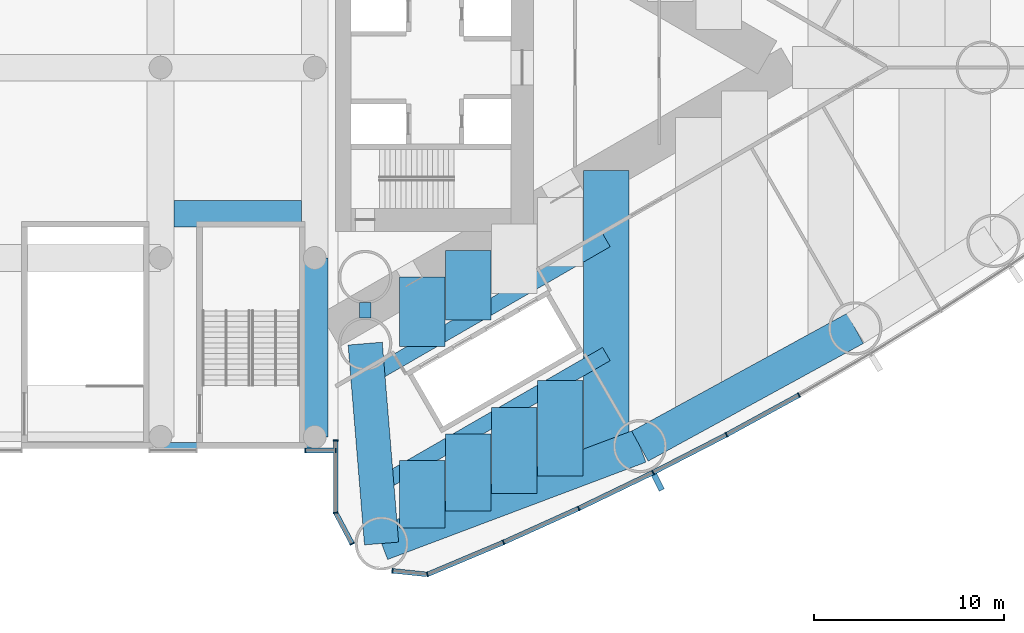
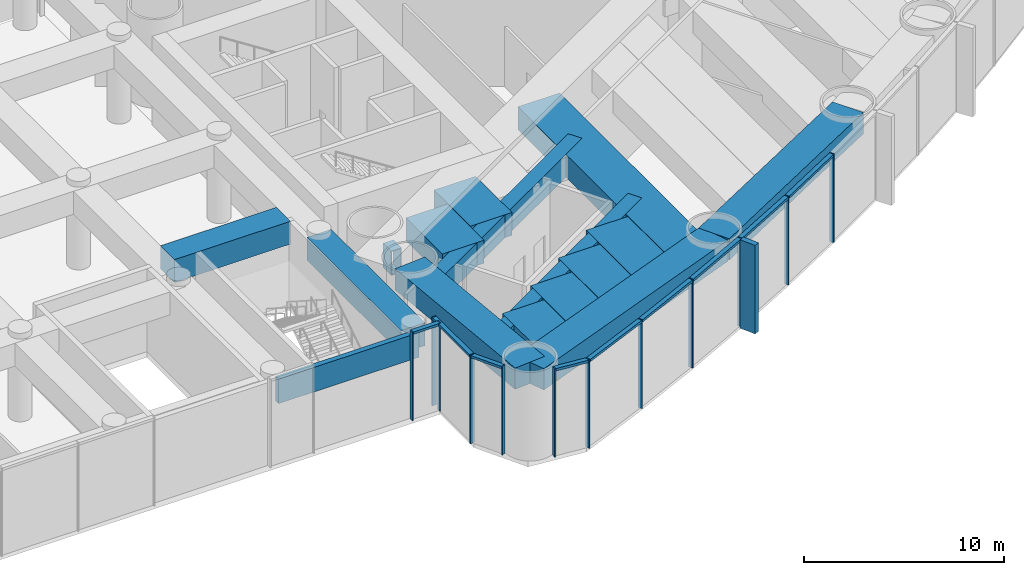
# One storey, part 7 of 20: 22 members, 16 beams, 3 elements without a shape of their own.
"""IFC4 building model written with IfcOpenShell, lengths in metres."""

from ifc_helpers import new_model, si_unit, direction, frame, origin, origin_2d, place, context, subcontext, project, spatial, rectangle, hollow_rectangle, extrude, material, material_profile, profile_set, type_object, element, aggregate, save


model = new_model("IFC4")

# Units and contexts
model_context = context("Model", 3, precision=1e-05, world=origin(), true_north=direction((0.0, 1.0)))
body_context = subcontext(model_context, "Body", "Model", "MODEL_VIEW")
ifc_project = project(units=[si_unit("LENGTHUNIT", "METRE"), si_unit("AREAUNIT", "SQUARE_METRE"), si_unit("VOLUMEUNIT", "CUBIC_METRE"), si_unit("PLANEANGLEUNIT", "RADIAN"), si_unit("MASSUNIT", "GRAM", prefix="KILO")], contexts=[model_context])

# Site, building, storey
site_placement = place(None, origin())
site = spatial("IfcSite", under=ifc_project, at=site_placement, CompositionType="ELEMENT")
building_placement = place(site_placement, origin())
building = spatial("IfcBuilding", under=site, at=building_placement, Name="Lancet Gate Hotel", CompositionType="ELEMENT")
storey_placement = place(building_placement, frame((0.0, 0.0, 7.199951171875)))
storey = spatial("IfcBuildingStorey", under=building, at=storey_placement, Name="L01", CompositionType="ELEMENT", Elevation=7.199951171875)

# Curtain wall, members
ifc_material_1 = material(Name="Aluminium curtain wall", Category="aluminium")
curtain_wall_type = type_object("IfcCurtainWallType", Name="Podium curtain wall", PredefinedType="USERDEFINED", material=ifc_material_1)
curtain_wall_1_placement = place(storey_placement, origin())
curtain_wall_1 = element("IfcCurtainWall", 1, at=curtain_wall_1_placement, inside=storey, type_object=curtain_wall_type, Name="T2 L01 curtain wall 1", ObjectType="UNITISED CURTAIN WALL", PredefinedType="USERDEFINED")
ifc_material_2 = material(Name="Aluminium mullion", Category="aluminium")
ifc_material_profile_1 = material_profile(ifc_material_2, rectangle(XDim=0.06494140625, YDim=0.25, at=origin_2d()), Name="MULLION 65x250")
ifc_profile_set_1 = profile_set([ifc_material_profile_1], Name="Aluminium mullion")
member_type_1 = type_object("IfcMemberType", Name="Aluminium mullion 65x250", PredefinedType="MULLION", material=ifc_profile_set_1)
member_1_placement = place(storey_placement, frame((27.5, -19.588623046875, 0.0), z_axis=(0.0, 0.0, 1.0), x_axis=(0.0, -1.0, 0.0)))
member_1 = element("IfcMember", 2, at=member_1_placement, type_object=member_type_1, Name="T2 L01 curtain wall 1 mullion 1", PredefinedType="MULLION", context=body_context, shape_type="SweptSolid", body=[
    extrude(rectangle(XDim=0.06494140625, YDim=0.25, at=origin_2d()), origin(), (0.0, 0.0, 1.0), 5.400146484375),
])
member_2_placement = place(storey_placement, frame((27.5, -23.384765625, 0.0), z_axis=(0.0, 0.0, 1.0), x_axis=(0.157751691459, -0.987478811844, 0.0)))
member_2 = element("IfcMember", 3, at=member_2_placement, type_object=member_type_1, Name="T2 L01 curtain wall 1 mullion 2", PredefinedType="MULLION", context=body_context, shape_type="SweptSolid", body=[
    extrude(rectangle(XDim=0.06494140625, YDim=0.25, at=origin_2d()), origin(), (0.0, 0.0, 1.0), 5.400146484375),
])
member_3_placement = place(storey_placement, frame((28.366455078125, -25.012451171875, 0.0), z_axis=(0.0, 0.0, 1.0), x_axis=(0.469897827284, -0.882720811987, 0.0)))
member_3 = element("IfcMember", 4, at=member_3_placement, type_object=member_type_1, Name="T2 L01 curtain wall 1 mullion 3", PredefinedType="MULLION", context=body_context, shape_type="SweptSolid", body=[
    extrude(rectangle(XDim=0.06494140625, YDim=0.25, at=origin_2d()), origin(), (0.0, 0.0, 1.0), 5.400146484375),
])

curtain_wall_2_placement = place(storey_placement, origin())
curtain_wall_2 = element("IfcCurtainWall", 5, at=curtain_wall_2_placement, inside=storey, type_object=curtain_wall_type, Name="T2 L01 curtain wall 2", ObjectType="UNITISED CURTAIN WALL", PredefinedType="USERDEFINED")
member_4_placement = place(storey_placement, frame((30.48388671875, -26.4375, 0.0), z_axis=(0.0, 0.0, 1.0), x_axis=(0.994672262412, -0.10308778001, 0.0)))
member_4 = element("IfcMember", 6, at=member_4_placement, type_object=member_type_1, Name="T2 L01 curtain wall 2 mullion 1", PredefinedType="MULLION", context=body_context, shape_type="SweptSolid", body=[
    extrude(rectangle(XDim=0.06494140625, YDim=0.25, at=origin_2d()), origin(), (0.0, 0.0, 1.0), 5.400146484375),
])
member_5_placement = place(storey_placement, frame((32.3173828125, -26.62744140625, 0.0), z_axis=(0.0, 0.0, 1.0), x_axis=(0.968721492963, 0.248150496819, 0.0)))
member_5 = element("IfcMember", 7, at=member_5_placement, type_object=member_type_1, Name="T2 L01 curtain wall 2 mullion 2", PredefinedType="MULLION", context=body_context, shape_type="SweptSolid", body=[
    extrude(rectangle(XDim=0.06494140625, YDim=0.25, at=origin_2d()), origin(), (0.0, 0.0, 1.0), 5.400146484375),
])
member_6_placement = place(storey_placement, frame((36.31494140625, -24.943603515625, 0.0), z_axis=(0.0, 0.0, 1.0), x_axis=(0.916578705089, 0.399854320193, 0.0)))
member_6 = element("IfcMember", 8, at=member_6_placement, type_object=member_type_1, Name="T2 L01 curtain wall 2 mullion 3", PredefinedType="MULLION", context=body_context, shape_type="SweptSolid", body=[
    extrude(rectangle(XDim=0.06494140625, YDim=0.25, at=origin_2d()), origin(), (0.0, 0.0, 1.0), 5.400146484375),
])
member_7_placement = place(storey_placement, frame((40.2685546875, -23.15869140625, 0.0), z_axis=(0.0, 0.0, 1.0), x_axis=(0.906104948671, 0.423052977762, 0.0)))
member_7 = element("IfcMember", 9, at=member_7_placement, type_object=member_type_1, Name="T2 L01 curtain wall 2 mullion 4", PredefinedType="MULLION", context=body_context, shape_type="SweptSolid", body=[
    extrude(rectangle(XDim=0.06494140625, YDim=0.25, at=origin_2d()), origin(), (0.0, 0.0, 1.0), 5.400146484375),
])
member_8_placement = place(storey_placement, frame((44.17529296875, -21.273681640625, 0.0), z_axis=(0.0, 0.0, 1.0), x_axis=(0.895044147438, 0.445977548917, 0.0)))
member_8 = element("IfcMember", 10, at=member_8_placement, type_object=member_type_1, Name="T2 L01 curtain wall 2 mullion 5", PredefinedType="MULLION", context=body_context, shape_type="SweptSolid", body=[
    extrude(rectangle(XDim=0.06494140625, YDim=0.25, at=origin_2d()), origin(), (0.0, 0.0, 1.0), 5.400146484375),
])
member_9_placement = place(storey_placement, frame((48.03271484375, -19.2900390625, 0.0), z_axis=(0.0, 0.0, 1.0), x_axis=(0.88340346743, 0.468613181347, 0.0)))
member_9 = element("IfcMember", 11, at=member_9_placement, type_object=member_type_1, Name="T2 L01 curtain wall 2 mullion 6", PredefinedType="MULLION", context=body_context, shape_type="SweptSolid", body=[
    extrude(rectangle(XDim=0.06494140625, YDim=0.25, at=origin_2d()), origin(), (0.0, 0.0, 1.0), 5.400146484375),
])
member_10_placement = place(storey_placement, frame((51.838623046875, -17.208740234375, 0.0), z_axis=(0.0, 0.0, 1.0), x_axis=(0.871190450382, 0.490945209941, 0.0)))
member_10 = element("IfcMember", 12, at=member_10_placement, type_object=member_type_1, Name="T2 L01 curtain wall 2 mullion 7", PredefinedType="MULLION", context=body_context, shape_type="SweptSolid", body=[
    extrude(rectangle(XDim=0.06494140625, YDim=0.25, at=origin_2d()), origin(), (0.0, 0.0, 1.0), 5.400146484375),
])

curtain_wall_3_placement = place(storey_placement, origin())
curtain_wall_3 = element("IfcCurtainWall", 13, at=curtain_wall_3_placement, inside=storey, type_object=curtain_wall_type, Name="Podium L01 curtain wall S5", ObjectType="UNITISED CURTAIN WALL", PredefinedType="USERDEFINED")
member_11_placement = place(storey_placement, frame((25.89990234375, -20.1201171875, 0.0), z_axis=(0.0, 0.0, 1.0), x_axis=(1.0, 0.0, 0.0)))
member_11 = element("IfcMember", 14, at=member_11_placement, type_object=member_type_1, Name="Podium L01 curtain wall S5 mullion 1", PredefinedType="MULLION", context=body_context, shape_type="SweptSolid", body=[
    extrude(rectangle(XDim=0.06494140625, YDim=0.25, at=origin_2d()), origin(), (0.0, 0.0, 1.0), 5.400146484375),
])
member_12_placement = place(storey_placement, frame((27.5, -20.1201171875, 0.0), z_axis=(0.0, 0.0, 1.0), x_axis=(1.0, 0.0, 0.0)))
member_12 = element("IfcMember", 15, at=member_12_placement, type_object=member_type_1, Name="Podium L01 curtain wall S5 mullion 2", PredefinedType="MULLION", context=body_context, shape_type="SweptSolid", body=[
    extrude(rectangle(XDim=0.06494140625, YDim=0.25, at=origin_2d()), origin(), (0.0, 0.0, 1.0), 5.400146484375),
])

# Member
ifc_material_3 = material(Name="Aluminium transom", Category="aluminium")
ifc_material_profile_2 = material_profile(ifc_material_3, rectangle(XDim=0.25, YDim=0.14990234375, at=origin_2d()), Name="TRANSOM 250x150")
ifc_profile_set_2 = profile_set([ifc_material_profile_2], Name="Aluminium transom")
member_type_2 = type_object("IfcMemberType", Name="Aluminium transom 250x150", PredefinedType="USERDEFINED", material=ifc_profile_set_2)
member_13_placement = place(storey_placement, frame((27.5, -19.62109375, 5.324951171875), z_axis=(0.0, -1.0, 0.0), x_axis=(1.0, 0.0, 0.0)))
member_13 = element("IfcMember", 16, at=member_13_placement, type_object=member_type_2, Name="T2 L01 curtain wall 1 transom 1", ObjectType="TRANSOM", PredefinedType="USERDEFINED", context=body_context, shape_type="SweptSolid", body=[
    extrude(rectangle(XDim=0.25, YDim=0.14990234375, at=origin_2d()), origin(), (0.0, 0.0, 1.0), 3.731201171875),
])

member_14_placement = place(storey_placement, frame((27.515380859375, -23.41357421875, 5.324951171875), z_axis=(0.469904276347, -0.882717378933, 0.0), x_axis=(0.882717378933, 0.469904276347, 0.0)))
member_14 = element("IfcMember", 17, at=member_14_placement, type_object=member_type_2, Name="T2 L01 curtain wall 1 transom 2", ObjectType="TRANSOM", PredefinedType="USERDEFINED", context=body_context, shape_type="SweptSolid", body=[
    extrude(rectangle(XDim=0.25, YDim=0.14990234375, at=origin_2d()), origin(), (0.0, 0.0, 1.0), 1.779052734375),
])

aggregate(curtain_wall_1, [member_1, member_2, member_3, member_13, member_14])

member_15_placement = place(storey_placement, frame((30.516357421875, -26.440673828125, 5.324951171875), z_axis=(0.994670452051, -0.103105246306, 0.0), x_axis=(0.103105246306, 0.994670452051, 0.0)))
member_15 = element("IfcMember", 18, at=member_15_placement, type_object=member_type_2, Name="T2 L01 curtain wall 2 transom 1", ObjectType="TRANSOM", PredefinedType="USERDEFINED", context=body_context, shape_type="SweptSolid", body=[
    extrude(rectangle(XDim=0.25, YDim=0.14990234375, at=origin_2d()), origin(), (0.0, 0.0, 1.0), 1.7783203125),
])

member_16_placement = place(storey_placement, frame((32.347412109375, -26.61474609375, 5.324951171875), z_axis=(0.92159772617, 0.388146404233, 0.0), x_axis=(-0.388146404233, 0.92159772617, 0.0)))
member_16 = element("IfcMember", 19, at=member_16_placement, type_object=member_type_2, Name="T2 L01 curtain wall 2 transom 2", ObjectType="TRANSOM", PredefinedType="USERDEFINED", context=body_context, shape_type="SweptSolid", body=[
    extrude(rectangle(XDim=0.25, YDim=0.14990234375, at=origin_2d()), origin(), (0.0, 0.0, 1.0), 4.272705078125),
])

member_17_placement = place(storey_placement, frame((36.3447265625, -24.930419921875, 5.324951171875), z_axis=(0.911396871737, 0.411528543589, 0.0), x_axis=(-0.411528543589, 0.911396871737, 0.0)))
member_17 = element("IfcMember", 20, at=member_17_placement, type_object=member_type_2, Name="T2 L01 curtain wall 2 transom 3", ObjectType="TRANSOM", PredefinedType="USERDEFINED", context=body_context, shape_type="SweptSolid", body=[
    extrude(rectangle(XDim=0.25, YDim=0.14990234375, at=origin_2d()), origin(), (0.0, 0.0, 1.0), 4.272705078125),
])

member_18_placement = place(storey_placement, frame((40.2978515625, -23.14453125, 5.324951171875), z_axis=(0.900646499888, 0.434552508035, 0.0), x_axis=(-0.434552508035, 0.900646499888, 0.0)))
member_18 = element("IfcMember", 21, at=member_18_placement, type_object=member_type_2, Name="T2 L01 curtain wall 2 transom 4", ObjectType="TRANSOM", PredefinedType="USERDEFINED", context=body_context, shape_type="SweptSolid", body=[
    extrude(rectangle(XDim=0.25, YDim=0.14990234375, at=origin_2d()), origin(), (0.0, 0.0, 1.0), 4.272705078125),
])

member_19_placement = place(storey_placement, frame((44.2041015625, -21.259033203125, 5.324951171875), z_axis=(0.88929576978, 0.457332520002, 0.0), x_axis=(-0.457332520002, 0.88929576978, 0.0)))
member_19 = element("IfcMember", 22, at=member_19_placement, type_object=member_type_2, Name="T2 L01 curtain wall 2 transom 5", ObjectType="TRANSOM", PredefinedType="USERDEFINED", context=body_context, shape_type="SweptSolid", body=[
    extrude(rectangle(XDim=0.25, YDim=0.14990234375, at=origin_2d()), origin(), (0.0, 0.0, 1.0), 4.272705078125),
])

member_20_placement = place(storey_placement, frame((48.061279296875, -19.2744140625, 5.324951171875), z_axis=(0.877377528879, 0.479800658417, 0.0), x_axis=(-0.479800658417, 0.877377528879, 0.0)))
member_20 = element("IfcMember", 23, at=member_20_placement, type_object=member_type_2, Name="T2 L01 curtain wall 2 transom 6", ObjectType="TRANSOM", PredefinedType="USERDEFINED", context=body_context, shape_type="SweptSolid", body=[
    extrude(rectangle(XDim=0.25, YDim=0.14990234375, at=origin_2d()), origin(), (0.0, 0.0, 1.0), 4.272705078125),
])

member_21_placement = place(storey_placement, frame((25.9326171875, -20.1201171875, 5.324951171875), z_axis=(1.0, 0.0, 0.0), x_axis=(0.0, 1.0, 0.0)))
member_21 = element("IfcMember", 24, at=member_21_placement, type_object=member_type_2, Name="Podium L01 curtain wall S5 transom 1", ObjectType="TRANSOM", PredefinedType="USERDEFINED", context=body_context, shape_type="SweptSolid", body=[
    extrude(rectangle(XDim=0.25, YDim=0.14990234375, at=origin_2d()), origin(), (0.0, 0.0, 1.0), 1.534912109375),
])

aggregate(curtain_wall_3, [member_11, member_12, member_21])

# Beams
ifc_material_4 = material(Name="Concrete C50/60", Category="concrete")
ifc_material_profile_3 = material_profile(ifc_material_4, rectangle(XDim=1.800048828125, YDim=1.300048828125, at=origin_2d()), Name="RC 1800x1300")
ifc_profile_set_3 = profile_set([ifc_material_profile_3], Name="Concrete C50/60")
beam_type_1 = type_object("IfcBeamType", Name="Edge beam RC 1800x1300", PredefinedType="SPANDREL", material=ifc_profile_set_3)
beam_1_placement = place(storey_placement, frame((29.9111328125, -25.00244140625, 4.400146484375), z_axis=(0.935736448066, 0.352700013836, 0.0), x_axis=(-0.352700013836, 0.935736448066, 0.0)))
element("IfcBeam", 25, at=beam_1_placement, inside=storey, type_object=beam_type_1, Name="T2 edge beam EB1 L01", PredefinedType="SPANDREL", context=body_context, shape_type="SweptSolid", body=[
    extrude(rectangle(XDim=1.800048828125, YDim=1.300048828125, at=origin_2d()), origin(), (0.0, 0.0, 1.0), 14.505126953125),
])
beam_2_placement = place(storey_placement, frame((43.484130859375, -19.886474609375, 4.400146484375), z_axis=(0.87736889738, 0.479816441893, 0.0), x_axis=(-0.479816441893, 0.87736889738, 0.0)))
element("IfcBeam", 26, at=beam_2_placement, inside=storey, type_object=beam_type_1, Name="T2 edge beam EB1 L01", PredefinedType="SPANDREL", context=body_context, shape_type="SweptSolid", body=[
    extrude(rectangle(XDim=1.800048828125, YDim=1.300048828125, at=origin_2d()), origin(), (0.0, 0.0, 1.0), 12.89208984375),
])
beam_3_placement = place(storey_placement, frame((29.9111328125, -25.00244140625, 4.400146484375), z_axis=(-0.081714744052, 0.996655758326, 0.0), x_axis=(-0.996655758326, -0.081714744052, 0.0)))
element("IfcBeam", 27, at=beam_3_placement, inside=storey, type_object=beam_type_1, Name="T2 edge beam EB1 L01", PredefinedType="SPANDREL", context=body_context, shape_type="SweptSolid", body=[
    extrude(rectangle(XDim=1.800048828125, YDim=1.300048828125, at=origin_2d()), origin(), (0.0, 0.0, 1.0), 10.53759765625),
])

# Member
ifc_material_5 = material(Name="Precast concrete C50/60", Category="concrete")
ifc_material_profile_4 = material_profile(ifc_material_5, rectangle(XDim=0.300048828125, YDim=0.89990234375, at=origin_2d()), Name="FIN 300x900")
ifc_profile_set_4 = profile_set([ifc_material_profile_4], Name="Precast concrete C50/60")
member_type_3 = type_object("IfcMemberType", Name="Exposed concrete fin 300x900", PredefinedType="USERDEFINED", material=ifc_profile_set_4)
member_22_placement = place(storey_placement, frame((44.431640625, -21.788330078125, 0.0), z_axis=(0.0, 0.0, 1.0), x_axis=(0.895044147438, 0.445977548917, 0.0)))
member_22 = element("IfcMember", 28, at=member_22_placement, type_object=member_type_3, Name="T2 L01 curtain wall 2 fin 5", ObjectType="FIN", PredefinedType="USERDEFINED", context=body_context, shape_type="SweptSolid", body=[
    extrude(rectangle(XDim=0.300048828125, YDim=0.89990234375, at=origin_2d()), origin(), (0.0, 0.0, 1.0), 5.400146484375),
])

aggregate(curtain_wall_2, [member_4, member_5, member_6, member_7, member_8, member_22, member_9, member_10, member_15, member_16, member_17, member_18, member_19, member_20])

# Beams
ifc_material_6 = material(Name="Concrete C50/60", Category="concrete")
ifc_material_profile_5 = material_profile(ifc_material_6, rectangle(XDim=2.39990234375, YDim=1.39990234375, at=origin_2d()), Name="RC 2400x1400")
ifc_profile_set_5 = profile_set([ifc_material_profile_5], Name="Concrete C50/60")
beam_type_2 = type_object("IfcBeamType", Name="Floor beam RC 2400x1400", PredefinedType="BEAM", material=ifc_profile_set_5)
beam_4_placement = place(storey_placement, frame((41.721435546875, -20.55078125, 4.35009765625), z_axis=(0.0, 1.0, 0.0), x_axis=(-1.0, 0.0, 0.0)))
element("IfcBeam", 29, at=beam_4_placement, inside=storey, type_object=beam_type_2, Name="T2 floor beam F11S L01", PredefinedType="BEAM", context=body_context, shape_type="SweptSolid", body=[
    extrude(rectangle(XDim=2.39990234375, YDim=1.39990234375, at=origin_2d()), origin(), (0.0, 0.0, 1.0), 15.134765625),
])
beam_5_placement = place(storey_placement, frame((32.04052734375, -24.199951171875, 4.35009765625), z_axis=(0.0, 1.0, 0.0), x_axis=(-1.0, 0.0, 0.0)))
element("IfcBeam", 30, at=beam_5_placement, inside=storey, type_object=beam_type_2, Name="T2 floor beam F03SA L01", PredefinedType="BEAM", context=body_context, shape_type="SweptSolid", body=[
    extrude(rectangle(XDim=2.39990234375, YDim=1.39990234375, at=origin_2d()), origin(), (0.0, 0.0, 1.0), 3.5615234375),
])
beam_6_placement = place(storey_placement, frame((32.04052734375, -14.65087890625, 4.35009765625), z_axis=(0.0, 1.0, 0.0), x_axis=(-1.0, 0.0, 0.0)))
element("IfcBeam", 31, at=beam_6_placement, inside=storey, type_object=beam_type_2, Name="T2 floor beam F03SB L01", PredefinedType="BEAM", context=body_context, shape_type="SweptSolid", body=[
    extrude(rectangle(XDim=2.39990234375, YDim=1.39990234375, at=origin_2d()), origin(), (0.0, 0.0, 1.0), 3.6455078125),
])
beam_7_placement = place(storey_placement, frame((34.460693359375, -23.28759765625, 4.35009765625), z_axis=(0.0, 1.0, 0.0), x_axis=(-1.0, 0.0, 0.0)))
element("IfcBeam", 32, at=beam_7_placement, inside=storey, type_object=beam_type_2, Name="T2 floor beam F05SA L01", PredefinedType="BEAM", context=body_context, shape_type="SweptSolid", body=[
    extrude(rectangle(XDim=2.39990234375, YDim=1.39990234375, at=origin_2d()), origin(), (0.0, 0.0, 1.0), 4.04638671875),
])
beam_8_placement = place(storey_placement, frame((34.460693359375, -13.253662109375, 4.35009765625), z_axis=(0.0, 1.0, 0.0), x_axis=(-1.0, 0.0, 0.0)))
element("IfcBeam", 33, at=beam_8_placement, inside=storey, type_object=beam_type_2, Name="T2 floor beam F05SB L01", PredefinedType="BEAM", context=body_context, shape_type="SweptSolid", body=[
    extrude(rectangle(XDim=2.39990234375, YDim=1.39990234375, at=origin_2d()), origin(), (0.0, 0.0, 1.0), 3.645751953125),
])
beam_9_placement = place(storey_placement, frame((36.880859375, -22.37548828125, 4.35009765625), z_axis=(0.0, 1.0, 0.0), x_axis=(-1.0, 0.0, 0.0)))
element("IfcBeam", 34, at=beam_9_placement, inside=storey, type_object=beam_type_2, Name="T2 floor beam F07SA L01", PredefinedType="BEAM", context=body_context, shape_type="SweptSolid", body=[
    extrude(rectangle(XDim=2.39990234375, YDim=1.39990234375, at=origin_2d()), origin(), (0.0, 0.0, 1.0), 4.53173828125),
])
beam_10_placement = place(storey_placement, frame((39.301025390625, -21.463134765625, 4.35009765625), z_axis=(0.0, 1.0, 0.0), x_axis=(-1.0, 0.0, 0.0)))
element("IfcBeam", 35, at=beam_10_placement, inside=storey, type_object=beam_type_2, Name="T2 floor beam F09SA L01", PredefinedType="BEAM", context=body_context, shape_type="SweptSolid", body=[
    extrude(rectangle(XDim=2.39990234375, YDim=1.39990234375, at=origin_2d()), origin(), (0.0, 0.0, 1.0), 5.0166015625),
])
ifc_material_7 = material(Name="Steel S460QL", Category="steel")
ifc_material_profile_6 = material_profile(ifc_material_7, hollow_rectangle(XDim=0.60009765625, YDim=1.5, WallThickness=0.050048828125, at=origin_2d()), Name="BOX 1500x600x50")
ifc_profile_set_6 = profile_set([ifc_material_profile_6], Name="Steel S460QL")
beam_type_3 = type_object("IfcBeamType", Name="Inner-face link beam BOX 1500x600x50", PredefinedType="BEAM", material=ifc_profile_set_6)
beam_11_placement = place(storey_placement, frame((29.050048828125, -13.14990234375, 4.300048828125), z_axis=(0.0, 1.0, 0.0), x_axis=(-1.0, 0.0, 0.0)))
element("IfcBeam", 36, at=beam_11_placement, inside=storey, type_object=beam_type_3, Name="T2 inner-face link beam LK1 L01", PredefinedType="BEAM", context=body_context, shape_type="SweptSolid", body=[
    extrude(hollow_rectangle(XDim=0.60009765625, YDim=1.5, WallThickness=0.050048828125, at=origin_2d()), origin(), (0.0, 0.0, 1.0), 0.7998046875),
])
ifc_material_8 = material(Name="Concrete C50/60", Category="concrete")
ifc_material_profile_7 = material_profile(ifc_material_8, rectangle(XDim=1.39990234375, YDim=1.39990234375, at=origin_2d()), Name="RC 1400x1400")
ifc_profile_set_7 = profile_set([ifc_material_profile_7], Name="Concrete C50/60")
beam_type_4 = type_object("IfcBeamType", Name="Podium beam RC 1400x1400", PredefinedType="BEAM", material=ifc_profile_set_7)
beam_12_placement = place(storey_placement, frame((19.0, -7.679931640625, 4.35009765625), z_axis=(1.0, 0.0, 0.0), x_axis=(0.0, 1.0, 0.0)))
element("IfcBeam", 37, at=beam_12_placement, inside=storey, type_object=beam_type_4, Name="Podium trimmer beam PS5 L01", PredefinedType="BEAM", context=body_context, shape_type="SweptSolid", body=[
    extrude(rectangle(XDim=1.39990234375, YDim=1.39990234375, at=origin_2d()), origin(), (0.0, 0.0, 1.0), 6.699951171875),
])
beam_13_placement = place(storey_placement, frame((26.39990234375, -19.39990234375, 4.35009765625), z_axis=(0.0, 1.0, 0.0), x_axis=(-1.0, 0.0, 0.0)))
element("IfcBeam", 38, at=beam_13_placement, inside=storey, type_object=beam_type_4, Name="Podium beam 7/A-B L01", PredefinedType="BEAM", context=body_context, shape_type="SweptSolid", body=[
    extrude(rectangle(XDim=1.39990234375, YDim=1.39990234375, at=origin_2d()), origin(), (0.0, 0.0, 1.0), 9.39990234375),
])
ifc_material_9 = material(Name="Concrete C50/60", Category="concrete")
ifc_material_profile_8 = material_profile(ifc_material_9, rectangle(XDim=0.300048828125, YDim=1.5, at=origin_2d()), Name="RC 300x1500")
ifc_profile_set_8 = profile_set([ifc_material_profile_8], Name="Concrete C50/60")
beam_type_5 = type_object("IfcBeamType", Name="Podium stair transfer beam RC 300x1500", PredefinedType="BEAM", material=ifc_profile_set_8)
beam_14_placement = place(storey_placement, frame((18.300048828125, -19.85009765625, 4.300048828125), z_axis=(1.0, 0.0, 0.0), x_axis=(0.0, 1.0, 0.0)))
element("IfcBeam", 39, at=beam_14_placement, inside=storey, type_object=beam_type_5, Name="Podium beam A/6-7 L01", PredefinedType="BEAM", context=body_context, shape_type="SweptSolid", body=[
    extrude(rectangle(XDim=0.300048828125, YDim=1.5, at=origin_2d()), origin(), (0.0, 0.0, 1.0), 8.099853515625),
])
ifc_material_10 = material(Name="Steel S460QL", Category="steel")
ifc_material_profile_9 = material_profile(ifc_material_10, hollow_rectangle(XDim=0.800048828125, YDim=1.39990234375, WallThickness=0.080078125, at=origin_2d()), Name="BOX 1400x800x80")
ifc_profile_set_9 = profile_set([ifc_material_profile_9], Name="Steel S460QL")
beam_type_6 = type_object("IfcBeamType", Name="Trimmer beam BOX 1400x800x80", PredefinedType="BEAM", material=ifc_profile_set_9)
beam_15_placement = place(storey_placement, frame((29.6201171875, -16.048095703125, 4.35009765625), z_axis=(0.866036909293, 0.499980071345, 0.0), x_axis=(-0.499980071345, 0.866036909293, 0.0)))
element("IfcBeam", 40, at=beam_15_placement, inside=storey, type_object=beam_type_6, Name="T2 trimmer beam TR01S L01", PredefinedType="BEAM", context=body_context, shape_type="SweptSolid", body=[
    extrude(hollow_rectangle(XDim=0.800048828125, YDim=1.39990234375, WallThickness=0.080078125, at=origin_2d()), origin(), (0.0, 0.0, 1.0), 13.97314453125),
])
beam_16_placement = place(storey_placement, frame((29.665771484375, -22.00927734375, 4.35009765625), z_axis=(0.866037222451, 0.499979528911, 0.0), x_axis=(-0.499979528911, 0.866037222451, 0.0)))
element("IfcBeam", 41, at=beam_16_placement, inside=storey, type_object=beam_type_6, Name="T2 trimmer beam TR02S L01", PredefinedType="BEAM", context=body_context, shape_type="SweptSolid", body=[
    extrude(hollow_rectangle(XDim=0.800048828125, YDim=1.39990234375, WallThickness=0.080078125, at=origin_2d()), origin(), (0.0, 0.0, 1.0), 13.92041015625),
])

save(model, "model.ifc")
